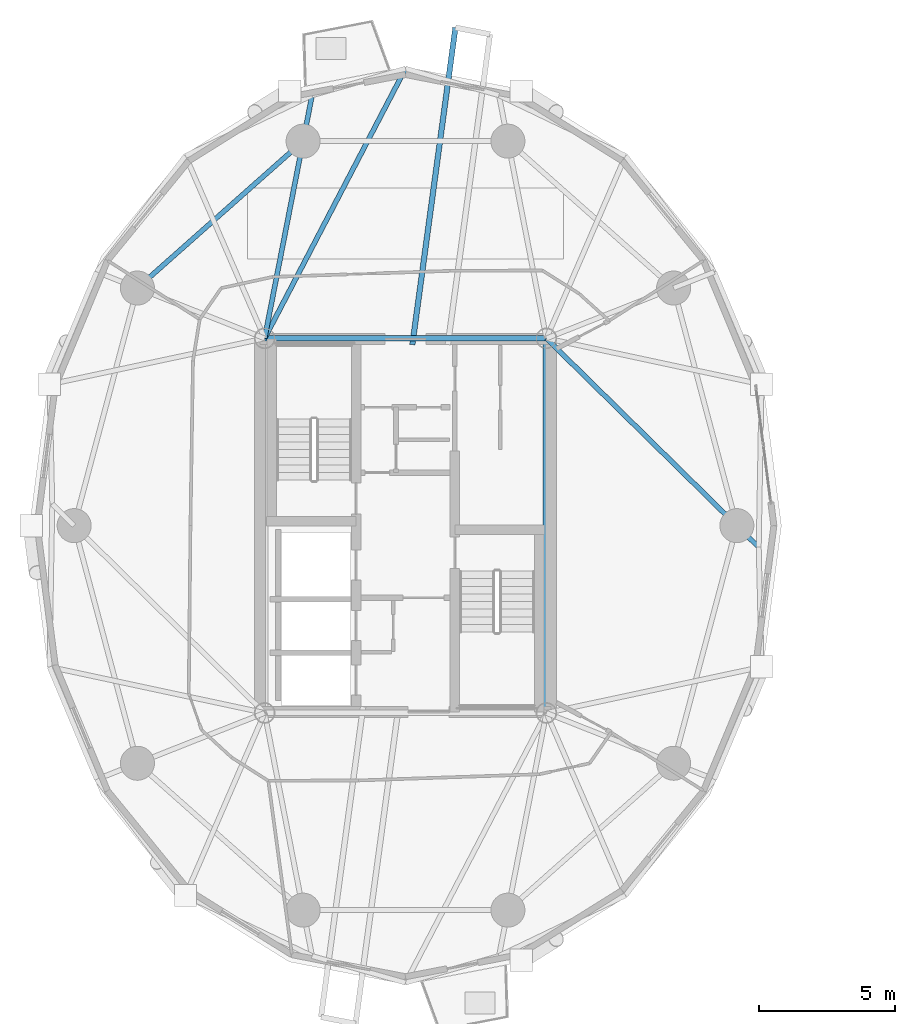
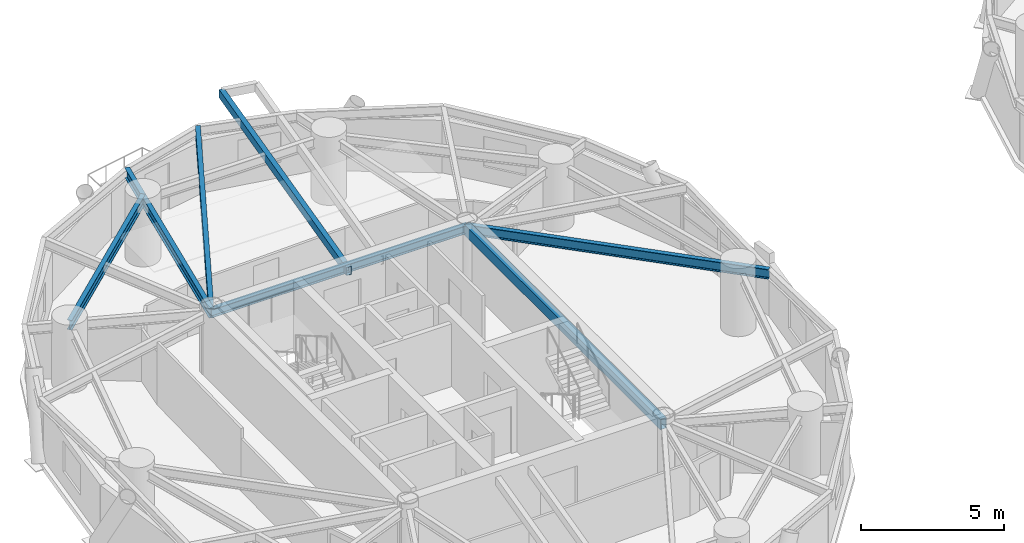
# One storey, part 2 of 17: 7 beams.
"""IFC4 building model written with IfcOpenShell, lengths in metres."""

from ifc_helpers import new_model, si_unit, direction, frame, origin, origin_2d, place, context, subcontext, project, spatial, hollow_rectangle, i_section, extrude, material, material_profile, profile_set, type_object, element, save


model = new_model("IFC4")

# Units and contexts
model_context = context("Model", 3, precision=1e-05, world=origin(), true_north=direction((0.0, 1.0)))
body_context = subcontext(model_context, "Body", "Model", "MODEL_VIEW")
ifc_project = project(units=[si_unit("LENGTHUNIT", "METRE"), si_unit("AREAUNIT", "SQUARE_METRE"), si_unit("VOLUMEUNIT", "CUBIC_METRE"), si_unit("PLANEANGLEUNIT", "RADIAN"), si_unit("MASSUNIT", "GRAM", prefix="KILO")], contexts=[model_context])

# Site, building, storey
site_placement = place(None, origin())
site = spatial("IfcSite", under=ifc_project, at=site_placement, CompositionType="ELEMENT")
building_placement = place(site_placement, origin())
building = spatial("IfcBuilding", under=site, at=building_placement, Name="Cununo Teusaquillo Station Towers", CompositionType="ELEMENT")
storey_placement = place(building_placement, frame((0.0, 0.0, 186.52001953125)))
storey = spatial("IfcBuildingStorey", under=building, at=storey_placement, Name="L59", CompositionType="ELEMENT", Elevation=186.52001953125)

# Beams
ifc_material_1 = material(Name="Steel EN 10025-2 S355J2", Category="steel")
ifc_material_profile_1 = material_profile(ifc_material_1, hollow_rectangle(XDim=0.199951171875, YDim=0.35009765625, WallThickness=0.013916015625, at=origin_2d()), Name="RHS 350x200x14")
ifc_profile_set_1 = profile_set([ifc_material_profile_1], Name="Steel EN 10025-2 S355J2")
beam_type_1 = type_object("IfcBeamType", Name="BM-BAL-CANT", PredefinedType="BEAM", material=ifc_profile_set_1)
beam_1_placement = place(storey_placement, frame((16.751953125, 31.14990234375, 2.514892578125), z_axis=(0.134615370715, 0.990897927118, 0.0), x_axis=(-0.990897927118, 0.134615370715, 0.0)))
element("IfcBeam", 1, at=beam_1_placement, inside=storey, type_object=beam_type_1, Name="L59 Tower A Balcony Cantilever Bracket 1B", PredefinedType="BEAM", context=body_context, shape_type="SweptSolid", body=[
    extrude(hollow_rectangle(XDim=0.199951171875, YDim=0.35009765625, WallThickness=0.013916015625, at=origin_2d()), origin(), (0.0, 0.0, 1.0), 11.752197265625),
])
ifc_material_2 = material(Name="Steel EN 10025-2 S355J2", Category="steel")
ifc_material_profile_2 = material_profile(ifc_material_2, hollow_rectangle(XDim=0.25, YDim=0.449951171875, WallThickness=0.01611328125, at=origin_2d()), Name="RHS 450x250x16")
ifc_profile_set_2 = profile_set([ifc_material_profile_2], Name="Steel EN 10025-2 S355J2")
beam_type_2 = type_object("IfcBeamType", Name="BM-COUP-1", PredefinedType="USERDEFINED", material=ifc_profile_set_2)
beam_2_placement = place(storey_placement, frame((21.675048828125, 17.6201171875, 2.465087890625), z_axis=(0.0, 1.0, 0.0), x_axis=(-1.0, 0.0, 0.0)))
element("IfcBeam", 2, at=beam_2_placement, inside=storey, type_object=beam_type_2, Name="L59 Tower A Core Beam 2", ObjectType="COUPLING BEAM", PredefinedType="USERDEFINED", context=body_context, shape_type="SweptSolid", body=[
    extrude(hollow_rectangle(XDim=0.25, YDim=0.449951171875, WallThickness=0.01611328125, at=origin_2d()), origin(), (0.0, 0.0, 1.0), 13.759765625),
])
ifc_material_3 = material(Name="Steel ASTM A572 Grade 50", Category="steel")
ifc_material_profile_3 = material_profile(ifc_material_3, i_section(OverallWidth=0.180908203125, OverallDepth=0.4169921875, WebThickness=0.010986328125, FlangeThickness=0.018310546875, FilletRadius=0.012939453125, at=origin_2d()), Name="W16X57")
ifc_profile_set_3 = profile_set([ifc_material_profile_3], Name="Steel ASTM A572 Grade 50")
beam_type_3 = type_object("IfcBeamType", Name="BM-JOIST-1", PredefinedType="JOIST", material=ifc_profile_set_3)
beam_3_placement = place(storey_placement, frame((11.324951171875, 31.3798828125, 2.4814453125), z_axis=(0.462884645231, 0.886418527113, 0.0), x_axis=(-0.886418527113, 0.462884645231, 0.0)))
element("IfcBeam", 3, at=beam_3_placement, inside=storey, type_object=beam_type_3, Name="L59 Tower A Radial Spandrel Joist V05", PredefinedType="JOIST", context=body_context, shape_type="SweptSolid", body=[
    extrude(i_section(OverallWidth=0.180908203125, OverallDepth=0.4169921875, WebThickness=0.010986328125, FlangeThickness=0.018310546875, FilletRadius=0.012939453125, at=origin_2d()), origin(), (0.0, 0.0, 1.0), 11.179931640625),
])
ifc_material_4 = material(Name="Steel ASTM A572 Grade 50", Category="steel")
ifc_material_profile_4 = material_profile(ifc_material_4, i_section(OverallWidth=0.2041015625, OverallDepth=0.35009765625, WebThickness=0.008544921875, FlangeThickness=0.01513671875, FilletRadius=0.011962890625, at=origin_2d()), Name="W14X48")
ifc_profile_set_4 = profile_set([ifc_material_profile_4], Name="Steel ASTM A572 Grade 50")
beam_type_4 = type_object("IfcBeamType", Name="BM-LINTEL-1", PredefinedType="LINTEL", material=ifc_profile_set_4)
beam_4_placement = place(storey_placement, frame((11.324951171875, 31.3798828125, 2.514892578125), z_axis=(1.0, 0.0, 0.0), x_axis=(0.0, 1.0, 0.0)))
element("IfcBeam", 4, at=beam_4_placement, inside=storey, type_object=beam_type_4, Name="L59 Tower A Core Beam 4", PredefinedType="LINTEL", context=body_context, shape_type="SweptSolid", body=[
    extrude(i_section(OverallWidth=0.2041015625, OverallDepth=0.35009765625, WebThickness=0.008544921875, FlangeThickness=0.01513671875, FilletRadius=0.011962890625, at=origin_2d()), origin(), (0.0, 0.0, 1.0), 10.35009765625),
])
ifc_material_5 = material(Name="Steel ASTM A572 Grade 50", Category="steel")
ifc_material_profile_5 = material_profile(ifc_material_5, i_section(OverallWidth=0.180908203125, OverallDepth=0.4169921875, WebThickness=0.010986328125, FlangeThickness=0.018310546875, FilletRadius=0.012939453125, at=origin_2d()), Name="W16X57")
ifc_profile_set_5 = profile_set([ifc_material_profile_5], Name="Steel ASTM A572 Grade 50")
beam_type_5 = type_object("IfcBeamType", Name="BM-RAD-G2", PredefinedType="BEAM", material=ifc_profile_set_5)
beam_5_placement = place(storey_placement, frame((21.675048828125, 31.3798828125, 2.4814453125), z_axis=(0.713051946152, -0.701111205223, 0.0), x_axis=(0.701111205223, 0.713051946152, 0.0)))
element("IfcBeam", 5, at=beam_5_placement, inside=storey, type_object=beam_type_5, Name="L59 Tower A Continuous Overhanging Radial Girder 01", PredefinedType="BEAM", context=body_context, shape_type="SweptSolid", body=[
    extrude(i_section(OverallWidth=0.180908203125, OverallDepth=0.4169921875, WebThickness=0.010986328125, FlangeThickness=0.018310546875, FilletRadius=0.012939453125, at=origin_2d()), origin(), (0.0, 0.0, 1.0), 10.938720703125),
])
beam_6_placement = place(storey_placement, frame((11.324951171875, 31.3798828125, 2.4814453125), z_axis=(0.191557018874, 0.981481486591, 0.0), x_axis=(-0.981481486591, 0.191557018874, 0.0)))
element("IfcBeam", 6, at=beam_6_placement, inside=storey, type_object=beam_type_5, Name="L59 Tower A Continuous Overhanging Radial Girder 04", PredefinedType="BEAM", context=body_context, shape_type="SweptSolid", body=[
    extrude(i_section(OverallWidth=0.180908203125, OverallDepth=0.4169921875, WebThickness=0.010986328125, FlangeThickness=0.018310546875, FilletRadius=0.012939453125, at=origin_2d()), origin(), (0.0, 0.0, 1.0), 9.097412109375),
])
ifc_material_6 = material(Name="Steel ASTM A572 Grade 50", Category="steel")
ifc_material_profile_6 = material_profile(ifc_material_6, i_section(OverallWidth=0.180908203125, OverallDepth=0.4169921875, WebThickness=0.010986328125, FlangeThickness=0.018310546875, FilletRadius=0.012939453125, at=origin_2d()), Name="W16X57")
ifc_profile_set_6 = profile_set([ifc_material_profile_6], Name="Steel ASTM A572 Grade 50")
beam_type_6 = type_object("IfcBeamType", Name="BM-RING-Z3", PredefinedType="SPANDREL", material=ifc_profile_set_6)
beam_7_placement = place(storey_placement, frame((12.738525390625, 38.623291015625, 2.4814453125), z_axis=(-0.74832120039, -0.66333655187, 0.0), x_axis=(0.66333655187, -0.74832120039, 0.0)))
element("IfcBeam", 7, at=beam_7_placement, inside=storey, type_object=beam_type_6, Name="L59 Tower A Structural Column Ring Girder 04", PredefinedType="SPANDREL", context=body_context, shape_type="SweptSolid", body=[
    extrude(i_section(OverallWidth=0.180908203125, OverallDepth=0.4169921875, WebThickness=0.010986328125, FlangeThickness=0.018310546875, FilletRadius=0.012939453125, at=origin_2d()), origin(), (0.0, 0.0, 1.0), 8.1328125),
])

save(model, "model.ifc")
